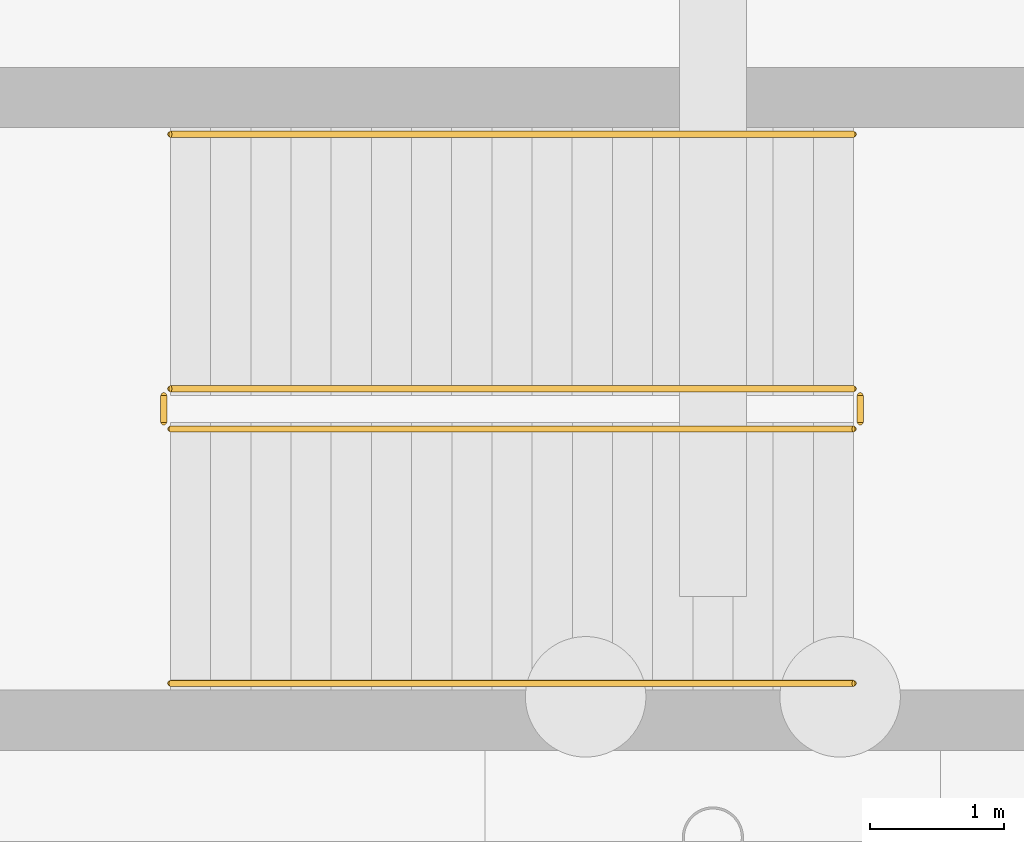
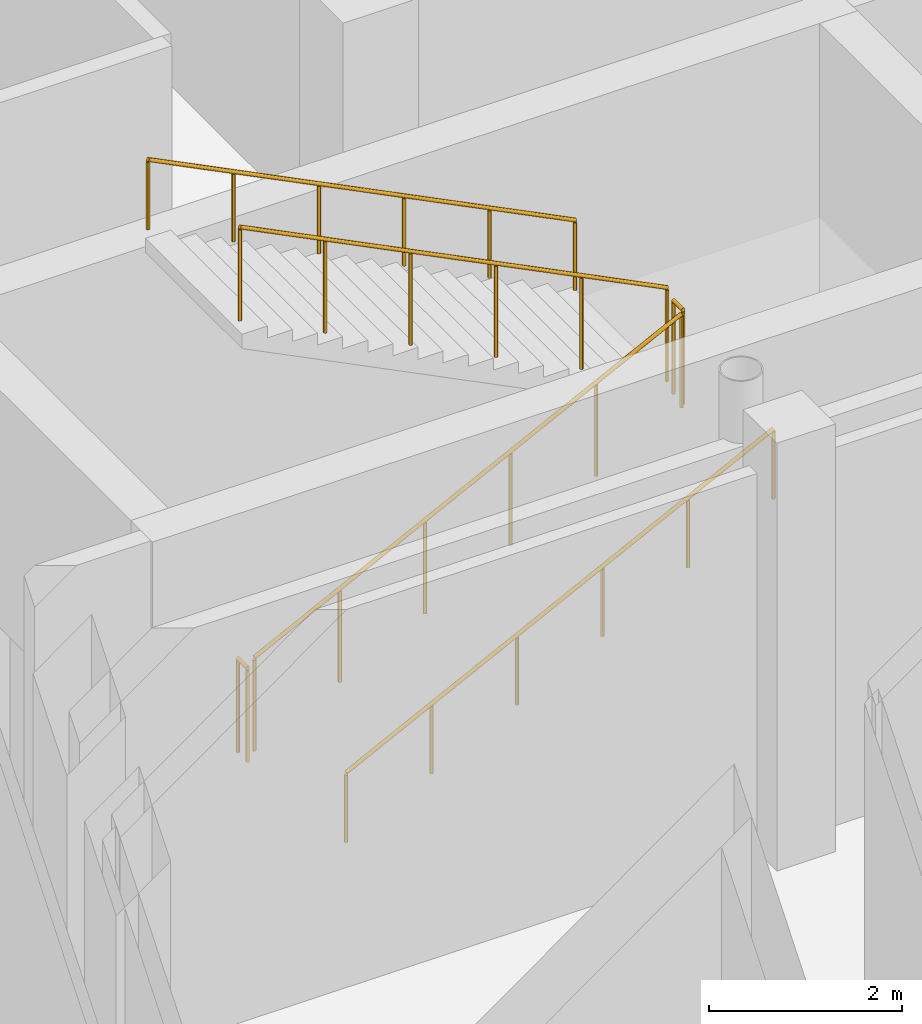
# One storey, part 42 of 49: 6 railings.
"""IFC4 building model written with IfcOpenShell, lengths in metres."""

from ifc_helpers import new_model, si_unit, direction, frame, origin, origin_2d, place, context, subcontext, project, spatial, circle, extrude, material, type_object, element, save


model = new_model("IFC4")

# Units and contexts
model_context = context("Model", 3, precision=1e-05, world=origin(), true_north=direction((0.0, 1.0)))
body_context = subcontext(model_context, "Body", "Model", "MODEL_VIEW")
ifc_project = project(units=[si_unit("LENGTHUNIT", "METRE"), si_unit("AREAUNIT", "SQUARE_METRE"), si_unit("VOLUMEUNIT", "CUBIC_METRE"), si_unit("PLANEANGLEUNIT", "RADIAN"), si_unit("MASSUNIT", "GRAM", prefix="KILO"), si_unit("THERMODYNAMICTEMPERATUREUNIT", "KELVIN")], contexts=[model_context])

# Site, building, storey
site_placement = place(None, origin())
site = spatial("IfcSite", under=ifc_project, at=site_placement, CompositionType="ELEMENT")
building_placement = place(site_placement, origin())
building = spatial("IfcBuilding", under=site, at=building_placement, Name="Lustrewick Department Store", CompositionType="ELEMENT")
storey_placement = place(building_placement, frame((0.0, 0.0, -5.39990234375)))
storey = spatial("IfcBuildingStorey", under=building, at=storey_placement, Name="B1", CompositionType="ELEMENT", Elevation=-5.39990234375)

# Railings
ifc_material_1 = material(Name="Painted tubular steel stairwell guardrail", Category="steel")
railing_type_1 = type_object("IfcRailingType", Name="RL-STG", PredefinedType="GUARDRAIL", material=ifc_material_1)
railing_1_placement = place(storey_placement, frame((113.550048828125, 53.949951171875, 0.14990234375)))
element("IfcRailing", 1, at=railing_1_placement, inside=storey, type_object=railing_type_1, Name="B1 ST09 Stair Guard 1", PredefinedType="GUARDRAIL", context=body_context, shape_type="SweptSolid", body=[
    extrude(circle(Radius=0.02392578125, at=origin_2d()), frame((0.0, 0.0, 1.17578125), z_axis=(0.894418627299, 0.0, 0.447230722492), x_axis=(0.0, 1.0, 0.0)), (0.0, 0.0, 1.0), 5.701904296875),
    extrude(circle(Radius=0.02099609375, at=origin_2d()), origin(), (0.0, 0.0, 1.0), 1.15185546875),
    extrude(circle(Radius=0.02099609375, at=origin_2d()), frame((1.02001953125, 0.0, 0.510009765625)), (0.0, 0.0, 1.0), 1.15185546875),
    extrude(circle(Radius=0.02099609375, at=origin_2d()), frame((2.0400390625, 0.0, 1.02001953125)), (0.0, 0.0, 1.0), 1.15185546875),
    extrude(circle(Radius=0.02099609375, at=origin_2d()), frame((3.059814453125, 0.0, 1.530029296875)), (0.0, 0.0, 1.0), 1.15185546875),
    extrude(circle(Radius=0.02099609375, at=origin_2d()), frame((4.079833984375, 0.0, 2.0400390625)), (0.0, 0.0, 1.0), 1.15185546875),
    extrude(circle(Radius=0.02099609375, at=origin_2d()), frame((5.099853515625, 0.0, 2.550048828125)), (0.0, 0.0, 1.0), 1.15185546875),
])
railing_2_placement = place(storey_placement, frame((118.699951171875, 54.0, 2.699951171875)))
element("IfcRailing", 2, at=railing_2_placement, inside=storey, type_object=railing_type_1, Name="B1 ST09 Stair Guard 2", PredefinedType="GUARDRAIL", context=body_context, shape_type="SweptSolid", body=[
    extrude(circle(Radius=0.02392578125, at=origin_2d()), frame((0.0, 0.0, 1.17578125), z_axis=(0.0, 1.0, 0.0), x_axis=(-1.0, 0.0, 0.0)), (0.0, 0.0, 1.0), 0.199951171875),
    extrude(circle(Radius=0.02099609375, at=origin_2d()), origin(), (0.0, 0.0, 1.0), 1.15185546875),
    extrude(circle(Radius=0.02099609375, at=origin_2d()), frame((0.0, 0.199951171875, 0.0)), (0.0, 0.0, 1.0), 1.15185546875),
])
railing_3_placement = place(storey_placement, frame((118.64990234375, 54.25, 2.849853515625)))
element("IfcRailing", 3, at=railing_3_placement, inside=storey, type_object=railing_type_1, Name="B1 ST09 Stair Guard 3", PredefinedType="GUARDRAIL", context=body_context, shape_type="SweptSolid", body=[
    extrude(circle(Radius=0.02392578125, at=origin_2d()), frame((0.0, 0.0, 1.17578125), z_axis=(-0.894418627299, 0.0, 0.447230722492), x_axis=(0.0, -1.0, 0.0)), (0.0, 0.0, 1.0), 5.701904296875),
    extrude(circle(Radius=0.02099609375, at=origin_2d()), origin(), (0.0, 0.0, 1.0), 1.15185546875),
    extrude(circle(Radius=0.02099609375, at=origin_2d()), frame((-1.02001953125, 0.0, 0.510009765625)), (0.0, 0.0, 1.0), 1.15185546875),
    extrude(circle(Radius=0.02099609375, at=origin_2d()), frame((-2.0400390625, 0.0, 1.02001953125)), (0.0, 0.0, 1.0), 1.15185546875),
    extrude(circle(Radius=0.02099609375, at=origin_2d()), frame((-3.059814453125, 0.0, 1.530029296875)), (0.0, 0.0, 1.0), 1.15185546875),
    extrude(circle(Radius=0.02099609375, at=origin_2d()), frame((-4.079833984375, 0.0, 2.0400390625)), (0.0, 0.0, 1.0), 1.15185546875),
    extrude(circle(Radius=0.02099609375, at=origin_2d()), frame((-5.099853515625, 0.0, 2.550048828125)), (0.0, 0.0, 1.0), 1.15185546875),
])
railing_4_placement = place(storey_placement, frame((113.5, 54.0, 0.0)))
element("IfcRailing", 4, at=railing_4_placement, inside=storey, type_object=railing_type_1, Name="B1 ST09 Stair Guard 4", PredefinedType="GUARDRAIL", context=body_context, shape_type="SweptSolid", body=[
    extrude(circle(Radius=0.02392578125, at=origin_2d()), frame((0.0, 0.0, 1.17578125), z_axis=(0.0, 1.0, 0.0), x_axis=(-1.0, 0.0, 0.0)), (0.0, 0.0, 1.0), 0.199951171875),
    extrude(circle(Radius=0.02099609375, at=origin_2d()), origin(), (0.0, 0.0, 1.0), 1.15185546875),
    extrude(circle(Radius=0.02099609375, at=origin_2d()), frame((0.0, 0.199951171875, 0.0)), (0.0, 0.0, 1.0), 1.15185546875),
])
ifc_material_2 = material(Name="Brushed stainless steel wall handrail", Category="steel")
railing_type_2 = type_object("IfcRailingType", Name="RL-STH", PredefinedType="HANDRAIL", material=ifc_material_2)
railing_5_placement = place(storey_placement, frame((113.550048828125, 52.050048828125, 0.14990234375)))
element("IfcRailing", 5, at=railing_5_placement, inside=storey, type_object=railing_type_2, Name="B1 ST09 Stair Handrail 1", PredefinedType="HANDRAIL", context=body_context, shape_type="SweptSolid", body=[
    extrude(circle(Radius=0.02392578125, at=origin_2d()), frame((0.0, 0.0, 0.8759765625), z_axis=(0.894418627299, 0.0, 0.447230722492), x_axis=(0.0, 1.0, 0.0)), (0.0, 0.0, 1.0), 5.701904296875),
    extrude(circle(Radius=0.02099609375, at=origin_2d()), origin(), (0.0, 0.0, 1.0), 0.851806640625),
    extrude(circle(Radius=0.02099609375, at=origin_2d()), frame((1.02001953125, 0.0, 0.510009765625)), (0.0, 0.0, 1.0), 0.851806640625),
    extrude(circle(Radius=0.02099609375, at=origin_2d()), frame((2.0400390625, 0.0, 1.02001953125)), (0.0, 0.0, 1.0), 0.851806640625),
    extrude(circle(Radius=0.02099609375, at=origin_2d()), frame((3.059814453125, 0.0, 1.530029296875)), (0.0, 0.0, 1.0), 0.851806640625),
    extrude(circle(Radius=0.02099609375, at=origin_2d()), frame((4.079833984375, 0.0, 2.0400390625)), (0.0, 0.0, 1.0), 0.851806640625),
    extrude(circle(Radius=0.02099609375, at=origin_2d()), frame((5.099853515625, 0.0, 2.550048828125)), (0.0, 0.0, 1.0), 0.851806640625),
])
railing_6_placement = place(storey_placement, frame((118.64990234375, 56.14990234375, 2.849853515625)))
element("IfcRailing", 6, at=railing_6_placement, inside=storey, type_object=railing_type_2, Name="B1 ST09 Stair Handrail 2", PredefinedType="HANDRAIL", context=body_context, shape_type="SweptSolid", body=[
    extrude(circle(Radius=0.02392578125, at=origin_2d()), frame((0.0, 0.0, 0.8759765625), z_axis=(-0.894418627299, 0.0, 0.447230722492), x_axis=(0.0, -1.0, 0.0)), (0.0, 0.0, 1.0), 5.701904296875),
    extrude(circle(Radius=0.02099609375, at=origin_2d()), origin(), (0.0, 0.0, 1.0), 0.851806640625),
    extrude(circle(Radius=0.02099609375, at=origin_2d()), frame((-1.02001953125, 0.0, 0.510009765625)), (0.0, 0.0, 1.0), 0.851806640625),
    extrude(circle(Radius=0.02099609375, at=origin_2d()), frame((-2.0400390625, 0.0, 1.02001953125)), (0.0, 0.0, 1.0), 0.851806640625),
    extrude(circle(Radius=0.02099609375, at=origin_2d()), frame((-3.059814453125, 0.0, 1.530029296875)), (0.0, 0.0, 1.0), 0.851806640625),
    extrude(circle(Radius=0.02099609375, at=origin_2d()), frame((-4.079833984375, 0.0, 2.0400390625)), (0.0, 0.0, 1.0), 0.851806640625),
    extrude(circle(Radius=0.02099609375, at=origin_2d()), frame((-5.099853515625, 0.0, 2.550048828125)), (0.0, 0.0, 1.0), 0.851806640625),
])

save(model, "model.ifc")
